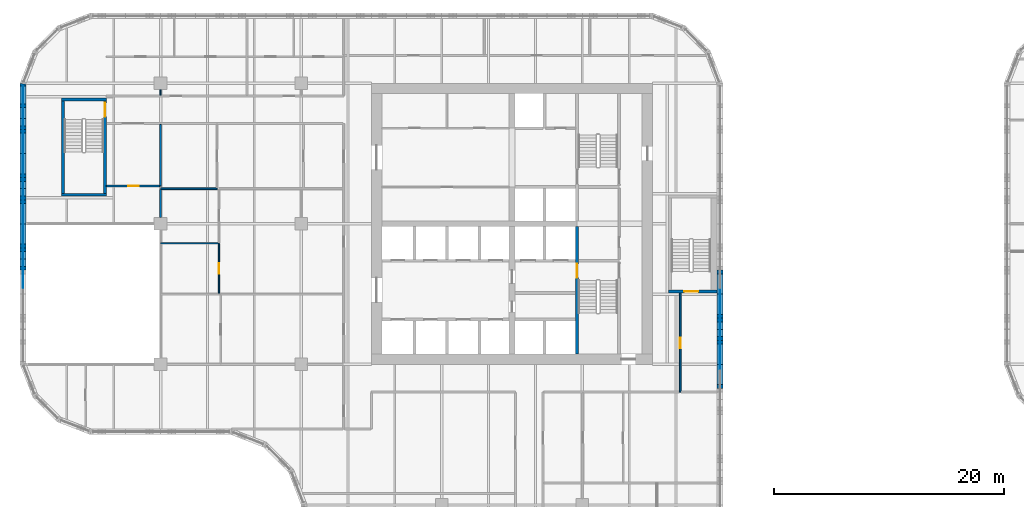
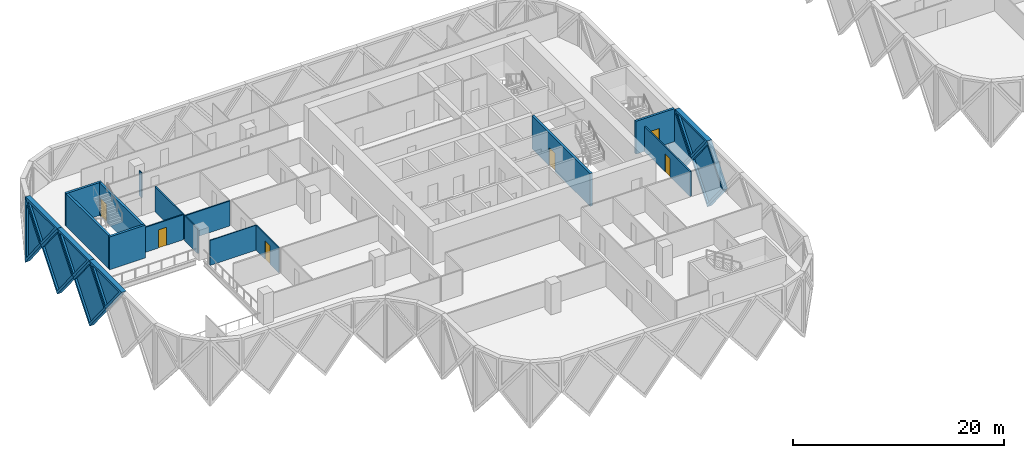
# One storey, part 9 of 24: 23 walls, 9 plates, 6 doors, 15 openings.
"""IFC4 building model written with IfcOpenShell, lengths in metres."""

from ifc_helpers import new_model, si_unit, direction, frame, frame_2d, origin, place, context, subcontext, project, spatial, polyline, rectangle, outline, extrude, faceted_brep, source, transform, mapped, material, layer, layer_set, type_object, element, fill, save


model = new_model("IFC4")

# Units and contexts
model_context = context("Model", 3, precision=1e-05, world=origin(), true_north=direction((0.0, 1.0)))
body_context = subcontext(model_context, "Body", "Model", "MODEL_VIEW")
ifc_project = project(units=[si_unit("LENGTHUNIT", "METRE"), si_unit("AREAUNIT", "SQUARE_METRE"), si_unit("VOLUMEUNIT", "CUBIC_METRE"), si_unit("PLANEANGLEUNIT", "RADIAN"), si_unit("MASSUNIT", "GRAM", prefix="KILO")], contexts=[model_context])

# Site, building, storey
site_placement = place(None, origin())
site = spatial("IfcSite", under=ifc_project, at=site_placement, CompositionType="ELEMENT")
building_placement = place(site_placement, origin())
building = spatial("IfcBuilding", under=site, at=building_placement, Name="Tessera Gate Towers", CompositionType="ELEMENT")
storey_placement = place(building_placement, frame((0.0, 0.0, 60.0)))
storey = spatial("IfcBuildingStorey", under=building, at=storey_placement, Name="L14", CompositionType="ELEMENT", Elevation=60.0)

# Wall, opening, door
ifc_material_1 = material(Name="Concrete C40/50", Category="concrete")
ifc_layer_1 = layer(ifc_material_1, 0.25)
ifc_layer_set_1 = layer_set([ifc_layer_1], Name="CORE ENCLOSURE WALL 250")
wall_type_1 = type_object("IfcWallType", Name="CORE ENCLOSURE WALL 250", PredefinedType="SOLIDWALL", material=ifc_layer_set_1)
wall_1_placement = place(storey_placement, frame((48.35009765625, 36.35009765625, 0.0), z_axis=(0.0, 0.0, 1.0), x_axis=(0.0, -1.0, 0.0)))
wall_1 = element("IfcWall", 1, at=wall_1_placement, inside=storey, type_object=wall_type_1, Name="L14 shaft and stair enclosure wall", PredefinedType="SOLIDWALL", context=body_context, shape_type="SweptSolid", body=[
    extrude(rectangle(XDim=11.050048828125, YDim=0.25, at=frame_2d((5.52490234375, 0.0))), origin(), (0.0, 0.0, 1.0), 3.800048828125),
])
shared_shape_1 = source(origin(), body_context, "Body", "SweptSolid", [
    extrude(rectangle(XDim=1.199951171875, YDim=2.10009765625, at=frame_2d((0.60009765625, 1.050048828125))), frame((0.0, 0.135009765625, 0.0), z_axis=(0.0, -1.0, 0.0), x_axis=(1.0, 0.0, 0.0)), (0.0, 0.0, 1.0), 0.27001953125),
])
opening_1_placement = place(wall_1_placement, frame((3.22509765625, 0.0, 0.0)))
opening_1 = element("IfcOpeningElement", 2, at=opening_1_placement, cuts=wall_1, Name="Opening SD-ST1-1", PredefinedType="OPENING", context=body_context, shape_type="MappedRepresentation", body=[
    mapped(shared_shape_1, transform((0.0, 0.0, 0.0), scale=1.0)),
])
ifc_material_2 = material(Name="Hollow steel fire door", Category="steel")
door_type_1 = type_object("IfcDoorType", Name="CORE DOOR SD 1200x2100", OperationType="NOTDEFINED", PredefinedType="DOOR", material=ifc_material_2)
shared_shape_2 = source(origin(), body_context, "Body", "SweptSolid", [
    extrude(rectangle(XDim=1.199951171875, YDim=2.10009765625, at=frame_2d((0.60009765625, 1.050048828125))), frame((0.0, 0.02490234375, 0.0), z_axis=(0.0, -1.0, 0.0), x_axis=(1.0, 0.0, 0.0)), (0.0, 0.0, 1.0), 0.050048828125),
])
door_1_placement = place(opening_1_placement, origin())
door_1 = element("IfcDoor", 3, at=door_1_placement, inside=storey, type_object=door_type_1, Name="Stair door", OperationType="SINGLE_SWING_LEFT", OverallHeight=2.10009765625, OverallWidth=1.199951171875, PredefinedType="DOOR", context=body_context, shape_type="MappedRepresentation", body=[
    mapped(shared_shape_2, transform((0.0, 0.0, 0.0), scale=1.0)),
])
fill(opening_1, door_1)

# Walls
wall_2_placement = place(storey_placement, frame((7.5, 39.125, 0.0), z_axis=(0.0, 0.0, 1.0), x_axis=(-1.0, 0.0, 0.0)))
element("IfcWall", 4, at=wall_2_placement, inside=storey, type_object=wall_type_1, Name="L14 ST3 enclosure wall", PredefinedType="SOLIDWALL", context=body_context, shape_type="SweptSolid", body=[
    extrude(rectangle(XDim=3.89990234375, YDim=0.25, at=frame_2d((1.949951171875, 0.0))), origin(), (0.0, 0.0, 1.0), 3.800048828125),
])
wall_3_placement = place(storey_placement, frame((3.72509765625, 39.25, 0.0), z_axis=(0.0, 0.0, 1.0), x_axis=(0.0, 1.0, 0.0)))
element("IfcWall", 5, at=wall_3_placement, inside=storey, type_object=wall_type_1, Name="L14 ST3 enclosure wall", PredefinedType="SOLIDWALL", context=body_context, shape_type="SweptSolid", body=[
    extrude(rectangle(XDim=8.0, YDim=0.25, at=frame_2d((4.0, 0.0))), origin(), (0.0, 0.0, 1.0), 3.800048828125),
])
wall_4_placement = place(storey_placement, frame((3.60009765625, 47.375, 0.0), z_axis=(0.0, 0.0, 1.0), x_axis=(1.0, 0.0, 0.0)))
element("IfcWall", 6, at=wall_4_placement, inside=storey, type_object=wall_type_1, Name="L14 ST3 enclosure wall", PredefinedType="SOLIDWALL", context=body_context, shape_type="SweptSolid", body=[
    extrude(rectangle(XDim=3.89990234375, YDim=0.25, at=frame_2d((1.949951171875, 0.0))), origin(), (0.0, 0.0, 1.0), 3.800048828125),
])

# Wall, opening, door
wall_5_placement = place(storey_placement, frame((7.375, 47.25, 0.0), z_axis=(0.0, 0.0, 1.0), x_axis=(0.0, -1.0, 0.0)))
wall_5 = element("IfcWall", 7, at=wall_5_placement, inside=storey, type_object=wall_type_1, Name="L14 ST3 enclosure wall", PredefinedType="SOLIDWALL", context=body_context, shape_type="SweptSolid", body=[
    extrude(rectangle(XDim=8.0, YDim=0.25, at=frame_2d((4.0, 0.0))), origin(), (0.0, 0.0, 1.0), 3.800048828125),
])
opening_2_placement = place(wall_5_placement, frame((0.14990234375, 0.0, 0.0)))
opening_2 = element("IfcOpeningElement", 8, at=opening_2_placement, cuts=wall_5, Name="Opening SD-ST3-1", PredefinedType="OPENING", context=body_context, shape_type="MappedRepresentation", body=[
    mapped(shared_shape_1, transform((0.0, 0.0, 0.0), scale=1.0)),
])
door_2_placement = place(opening_2_placement, origin())
door_2 = element("IfcDoor", 9, at=door_2_placement, inside=storey, type_object=door_type_1, Name="Stair door", OperationType="SINGLE_SWING_LEFT", OverallHeight=2.10009765625, OverallWidth=1.199951171875, PredefinedType="DOOR", context=body_context, shape_type="MappedRepresentation", body=[
    mapped(shared_shape_2, transform((0.0, 0.0, 0.0), scale=1.0)),
])
fill(opening_2, door_2)

wall_6_placement = place(storey_placement, frame((60.5, 30.72509765625, 0.0), z_axis=(0.0, 0.0, 1.0), x_axis=(-1.0, 0.0, 0.0)))
wall_6 = element("IfcWall", 10, at=wall_6_placement, inside=storey, type_object=wall_type_1, Name="L14 ST5 enclosure wall", PredefinedType="SOLIDWALL", context=body_context, shape_type="SweptSolid", body=[
    extrude(rectangle(XDim=4.199951171875, YDim=0.25, at=frame_2d((2.10009765625, 0.0))), origin(), (0.0, 0.0, 1.0), 3.800048828125),
])
opening_3_placement = place(wall_6_placement, frame((1.64990234375, 0.0, 0.0)))
opening_3 = element("IfcOpeningElement", 11, at=opening_3_placement, cuts=wall_6, Name="Opening SD-ST5-1", PredefinedType="OPENING", context=body_context, shape_type="MappedRepresentation", body=[
    mapped(shared_shape_1, transform((0.0, 0.0, 0.0), scale=1.0)),
])
door_3_placement = place(opening_3_placement, origin())
door_3 = element("IfcDoor", 12, at=door_3_placement, inside=storey, type_object=door_type_1, Name="Stair door", OperationType="SINGLE_SWING_RIGHT", OverallHeight=2.10009765625, OverallWidth=1.199951171875, PredefinedType="DOOR", context=body_context, shape_type="MappedRepresentation", body=[
    mapped(shared_shape_2, transform((0.0, 0.0, 0.0), scale=1.0)),
])
fill(opening_3, door_3)

ifc_material_3 = material(Name="Gypsum board on steel studs, mineral wool", Category="steel")
ifc_layer_2 = layer(ifc_material_3, 0.14990234375)
ifc_layer_set_2 = layer_set([ifc_layer_2], Name="CORRIDOR WALL 150")
wall_type_2 = type_object("IfcWallType", Name="CORRIDOR WALL 150", PredefinedType="PARTITIONING", material=ifc_layer_set_2)
wall_7_placement = place(storey_placement, frame((57.300048828125, 30.60009765625, 0.0), z_axis=(0.0, 0.0, 1.0), x_axis=(0.0, -1.0, 0.0)))
wall_7 = element("IfcWall", 13, at=wall_7_placement, inside=storey, type_object=wall_type_2, Name="T1-L14-PW-019", PredefinedType="PARTITIONING", context=body_context, shape_type="SweptSolid", body=[
    extrude(rectangle(XDim=8.60009765625, YDim=0.14990234375, at=frame_2d((4.300048828125, 0.0))), origin(), (0.0, 0.0, 1.0), 2.887939453125),
])
shared_shape_3 = source(origin(), body_context, "Body", "SweptSolid", [
    extrude(rectangle(XDim=0.89990234375, YDim=2.10009765625, at=frame_2d((0.449951171875, 1.050048828125))), frame((0.0, 0.0849609375, 0.0), z_axis=(0.0, -1.0, 0.0), x_axis=(1.0, 0.0, 0.0)), (0.0, 0.0, 1.0), 0.169921875),
])
opening_4_placement = place(wall_7_placement, frame((3.89990234375, 0.0, 0.0)))
opening_4 = element("IfcOpeningElement", 14, at=opening_4_placement, cuts=wall_7, Name="Opening D890FD60-A05-04", PredefinedType="OPENING", context=body_context, shape_type="MappedRepresentation", body=[
    mapped(shared_shape_3, transform((0.0, 0.0, 0.0), scale=1.0)),
])
ifc_material_4 = material(Name="Timber door leaf in steel frame", Category="steel")
door_type_2 = type_object("IfcDoorType", Name="CORRIDOR DOOR 900 FD60", OperationType="NOTDEFINED", PredefinedType="DOOR", material=ifc_material_4)
shared_shape_4 = source(origin(), body_context, "Body", "SweptSolid", [
    extrude(rectangle(XDim=0.89990234375, YDim=2.10009765625, at=frame_2d((0.449951171875, 1.050048828125))), frame((0.0, 0.02490234375, 0.0), z_axis=(0.0, -1.0, 0.0), x_axis=(1.0, 0.0, 0.0)), (0.0, 0.0, 1.0), 0.050048828125),
])
door_4_placement = place(opening_4_placement, origin())
door_4 = element("IfcDoor", 15, at=door_4_placement, inside=storey, type_object=door_type_2, Name="T1-L14-PD-021", OperationType="SINGLE_SWING_RIGHT", OverallHeight=2.10009765625, OverallWidth=0.89990234375, PredefinedType="DOOR", context=body_context, shape_type="MappedRepresentation", body=[
    mapped(shared_shape_4, transform((0.0, 0.0, 0.0), scale=1.0)),
])
fill(opening_4, door_4)

ifc_material_5 = material(Name="Gypsum board on steel studs", Category="steel")
ifc_layer_3 = layer(ifc_material_5, 0.10009765625)
ifc_layer_set_3 = layer_set([ifc_layer_3], Name="PARTITION 100")
wall_type_3 = type_object("IfcWallType", Name="PARTITION 100", PredefinedType="PARTITIONING", material=ifc_layer_set_3)
wall_8_placement = place(storey_placement, frame((17.27490234375, 30.575927734375, 0.0), z_axis=(0.0, 0.0, 1.0), x_axis=(0.0, 1.0, 0.0)))
wall_8 = element("IfcWall", 16, at=wall_8_placement, inside=storey, type_object=wall_type_3, Name="T1-L14-PW-026", PredefinedType="PARTITIONING", context=body_context, shape_type="SweptSolid", body=[
    extrude(rectangle(XDim=4.29345703125, YDim=0.10009765625, at=frame_2d((2.146728515625, 0.0))), origin(), (0.0, 0.0, 1.0), 2.887939453125),
])
shared_shape_5 = source(origin(), body_context, "Body", "SweptSolid", [
    extrude(rectangle(XDim=0.89990234375, YDim=2.10009765625, at=frame_2d((0.449951171875, 1.050048828125))), frame((0.0, 0.06005859375, 0.0), z_axis=(0.0, -1.0, 0.0), x_axis=(1.0, 0.0, 0.0)), (0.0, 0.0, 1.0), 0.1201171875),
])
opening_5_placement = place(wall_8_placement, frame((1.699951171875, 0.0, 0.0)))
opening_5 = element("IfcOpeningElement", 17, at=opening_5_placement, cuts=wall_8, Name="Opening D190-A05-03", PredefinedType="OPENING", context=body_context, shape_type="MappedRepresentation", body=[
    mapped(shared_shape_5, transform((0.0, 0.0, 0.0), scale=1.0)),
])
ifc_material_6 = material(Name="Timber door leaf in steel frame", Category="steel")
door_type_3 = type_object("IfcDoorType", Name="INTERNAL DOOR 900 NOT RATED", OperationType="NOTDEFINED", PredefinedType="DOOR", material=ifc_material_6)
door_5_placement = place(opening_5_placement, origin())
door_5 = element("IfcDoor", 18, at=door_5_placement, inside=storey, type_object=door_type_3, Name="T1-L14-PD-004", OperationType="SINGLE_SWING_LEFT", OverallHeight=2.10009765625, OverallWidth=0.89990234375, PredefinedType="DOOR", context=body_context, shape_type="MappedRepresentation", body=[
    mapped(shared_shape_4, transform((0.0, 0.0, 0.0), scale=1.0)),
])
fill(opening_5, door_5)

# Walls
wall_9_placement = place(storey_placement, frame((12.199951171875, 34.919921875, 0.0), z_axis=(0.0, 0.0, 1.0), x_axis=(1.0, 0.0, 0.0)))
element("IfcWall", 19, at=wall_9_placement, inside=storey, type_object=wall_type_3, Name="T1-L14-PW-027", PredefinedType="PARTITIONING", context=body_context, shape_type="SweptSolid", body=[
    extrude(rectangle(XDim=5.074951171875, YDim=0.10009765625, at=frame_2d((2.53759765625, 0.0))), origin(), (0.0, 0.0, 1.0), 2.887939453125),
])
wall_10_placement = place(storey_placement, frame((12.199951171875, 48.25, 0.0), z_axis=(0.0, 0.0, 1.0), x_axis=(0.0, -1.0, 0.0)))
element("IfcWall", 20, at=wall_10_placement, inside=storey, type_object=wall_type_3, Name="T1-L14-PW-041", PredefinedType="PARTITIONING", context=body_context, shape_type="SweptSolid", body=[
    extrude(rectangle(XDim=0.47509765625, YDim=0.10009765625, at=frame_2d((0.237548828125, 0.0))), origin(), (0.0, 0.0, 1.0), 2.887939453125),
])
ifc_material_7 = material(Name="Gypsum board on steel studs, mineral wool", Category="steel")
ifc_layer_4 = layer(ifc_material_7, 0.14990234375)
ifc_layer_set_4 = layer_set([ifc_layer_4], Name="TENANCY WALL 150")
wall_type_4 = type_object("IfcWallType", Name="TENANCY WALL 150", PredefinedType="PARTITIONING", material=ifc_layer_set_4)
wall_11_placement = place(storey_placement, frame((12.199951171875, 37.15087890625, 0.0), z_axis=(0.0, 0.0, 1.0), x_axis=(0.0, 1.0, 0.0)))
element("IfcWall", 21, at=wall_11_placement, inside=storey, type_object=wall_type_4, Name="T1-L14-PW-029", PredefinedType="PARTITIONING", context=body_context, shape_type="SweptSolid", body=[
    extrude(rectangle(XDim=2.423095703125, YDim=0.14990234375, at=frame_2d((1.21142578125, 0.0))), origin(), (0.0, 0.0, 1.0), 2.887939453125),
])
wall_12_placement = place(storey_placement, frame((12.199951171875, 39.64990234375, 0.0), z_axis=(0.0, 0.0, 1.0), x_axis=(1.0, 0.0, 0.0)))
element("IfcWall", 22, at=wall_12_placement, inside=storey, type_object=wall_type_4, Name="T1-L14-PW-031", PredefinedType="PARTITIONING", context=body_context, shape_type="SweptSolid", body=[
    extrude(rectangle(XDim=4.900146484375, YDim=0.14990234375, at=frame_2d((2.4501953125, 0.0))), origin(), (0.0, 0.0, 1.0), 2.887939453125),
])

# Wall, opening, door
wall_13_placement = place(storey_placement, frame((12.1240234375, 39.875, 0.0), z_axis=(0.0, 0.0, 1.0), x_axis=(-1.0, 0.0, 0.0)))
wall_13 = element("IfcWall", 23, at=wall_13_placement, inside=storey, type_object=wall_type_4, Name="T1-L14-PW-035", PredefinedType="PARTITIONING", context=body_context, shape_type="SweptSolid", body=[
    extrude(rectangle(XDim=4.6240234375, YDim=0.14990234375, at=frame_2d((2.31201171875, 0.0))), origin(), (0.0, 0.0, 1.0), 2.887939453125),
])
opening_6_placement = place(wall_13_placement, frame((1.823974609375, 0.0, 0.0)))
opening_6 = element("IfcOpeningElement", 24, at=opening_6_placement, cuts=wall_13, Name="Opening D190-A05-05", PredefinedType="OPENING", context=body_context, shape_type="MappedRepresentation", body=[
    mapped(shared_shape_3, transform((0.0, 0.0, 0.0), scale=1.0)),
])
door_6_placement = place(opening_6_placement, origin())
door_6 = element("IfcDoor", 25, at=door_6_placement, inside=storey, type_object=door_type_3, Name="T1-L14-PD-006", OperationType="SINGLE_SWING_RIGHT", OverallHeight=2.10009765625, OverallWidth=0.89990234375, PredefinedType="DOOR", context=body_context, shape_type="MappedRepresentation", body=[
    mapped(shared_shape_4, transform((0.0, 0.0, 0.0), scale=1.0)),
])
fill(opening_6, door_6)

# Wall
wall_14_placement = place(storey_placement, frame((12.199951171875, 39.875, 0.0), z_axis=(0.0, 0.0, 1.0), x_axis=(0.0, 1.0, 0.0)))
element("IfcWall", 26, at=wall_14_placement, inside=storey, type_object=wall_type_4, Name="T1-L14-PW-036", PredefinedType="PARTITIONING", context=body_context, shape_type="SweptSolid", body=[
    extrude(rectangle(XDim=5.34912109375, YDim=0.14990234375, at=frame_2d((2.674560546875, 0.0))), origin(), (0.0, 0.0, 1.0), 2.887939453125),
])

# Wall, opening, plate
ifc_material_8 = material(Name="Precast concrete C60/75 white", Category="concrete")
ifc_layer_5 = layer(ifc_material_8, 0.5)
ifc_layer_set_5 = layer_set([ifc_layer_5], Name="TS1 tessera")
wall_type_5 = type_object("IfcWallType", Name="TS1 tessera", PredefinedType="SOLIDWALL", material=ifc_layer_set_5)
shared_shape_6 = source(origin(), body_context, "Body", "Brep", [
    faceted_brep([(3.050048828125, -0.25, 0.0), (6.099853515625, -0.25, 3.7998046875), (6.099853515625, -0.25, 3.80029296875), (3.050048828125, -0.25, 7.60009765625), (0.0, -0.25, 3.800048828125), (0.0, 0.25, 3.800048828125), (3.050048828125, 0.25, 7.60009765625), (6.099853515625, 0.25, 3.80029296875), (6.099853515625, 0.25, 3.7998046875), (3.050048828125, 0.25, 0.0)], [[[0, 1, 2, 3, 4]], [[5, 6, 7, 8, 9]], [[9, 8, 1, 0]], [[7, 6, 3, 2]], [[6, 5, 4, 3]], [[5, 9, 0, 4]], [[1, 8, 7, 2]]]),
])
wall_15_placement = place(storey_placement, frame((60.75, 21.35009765625, -3.800048828125), z_axis=(0.0, 0.0, 1.0), x_axis=(0.0, 1.0, 0.0)))
wall_15 = element("IfcWall", 27, at=wall_15_placement, inside=storey, type_object=wall_type_5, Name="Precast tessera T1 TS1-0213", PredefinedType="SOLIDWALL", context=body_context, shape_type="MappedRepresentation", body=[
    mapped(shared_shape_6, transform((0.0, 0.0, 0.0), scale=1.0)),
])
shared_shape_7 = source(origin(), body_context, "Body", "SweptSolid", [
    extrude(outline(polyline([(3.050048828125, 0.3994140625), (5.779541015625, 3.800048828125), (3.050048828125, 7.20068359375), (0.320556640625, 3.800048828125), (3.050048828125, 0.3994140625)])), frame((0.0, 0.260009765625, 0.0), z_axis=(0.0, -1.0, 0.0), x_axis=(1.0, 0.0, 0.0)), (0.0, 0.0, 1.0), 0.52001953125),
])
opening_7_placement = place(wall_15_placement, origin())
opening_7 = element("IfcOpeningElement", 28, at=opening_7_placement, cuts=wall_15, Name="Opening T1-PL2-0433", PredefinedType="OPENING", context=body_context, shape_type="MappedRepresentation", body=[
    mapped(shared_shape_7, transform((0.0, 0.0, 0.0), scale=1.0)),
])
ifc_material_9 = material(Name="Low-e laminated glass", Category="glass")
ifc_layer_6 = layer(ifc_material_9, 0.06005859375)
ifc_layer_set_6 = layer_set([ifc_layer_6], Name="PL2 rhombic pane")
plate_type_1 = type_object("IfcPlateType", Name="PL2 rhombic pane", PredefinedType="SHEET", material=ifc_layer_set_6)
shared_shape_8 = source(origin(), body_context, "Body", "SweptSolid", [
    extrude(outline(polyline([(3.050048828125, 0.3994140625), (5.779541015625, 3.800048828125), (3.050048828125, 7.20068359375), (0.320556640625, 3.800048828125), (3.050048828125, 0.3994140625)])), frame((0.0, 0.030029296875, 0.0), z_axis=(0.0, -1.0, 0.0), x_axis=(1.0, 0.0, 0.0)), (0.0, 0.0, 1.0), 0.06005859375),
])
plate_1_placement = place(opening_7_placement, origin())
plate_1 = element("IfcPlate", 29, at=plate_1_placement, inside=storey, type_object=plate_type_1, Name="Glass pane T1 PL2-0433", PredefinedType="SHEET", context=body_context, shape_type="MappedRepresentation", body=[
    mapped(shared_shape_8, transform((0.0, 0.0, 0.0), scale=1.0)),
])
fill(opening_7, plate_1)

wall_16_placement = place(storey_placement, frame((0.25, 39.64990234375, -3.800048828125), z_axis=(0.0, 0.0, 1.0), x_axis=(0.0, -1.0, 0.0)))
wall_16 = element("IfcWall", 30, at=wall_16_placement, inside=storey, type_object=wall_type_5, Name="Precast tessera T1 TS1-0226", PredefinedType="SOLIDWALL", context=body_context, shape_type="MappedRepresentation", body=[
    mapped(shared_shape_6, transform((0.0, 0.0, 0.0), scale=1.0)),
])
opening_8_placement = place(wall_16_placement, origin())
opening_8 = element("IfcOpeningElement", 31, at=opening_8_placement, cuts=wall_16, Name="Opening T1-PL2-0454", PredefinedType="OPENING", context=body_context, shape_type="MappedRepresentation", body=[
    mapped(shared_shape_7, transform((0.0, 0.0, 0.0), scale=1.0)),
])
plate_2_placement = place(opening_8_placement, origin())
plate_2 = element("IfcPlate", 32, at=plate_2_placement, inside=storey, type_object=plate_type_1, Name="Glass pane T1 PL2-0454", PredefinedType="SHEET", context=body_context, shape_type="MappedRepresentation", body=[
    mapped(shared_shape_8, transform((0.0, 0.0, 0.0), scale=1.0)),
])
fill(opening_8, plate_2)

shared_shape_9 = source(origin(), body_context, "Body", "SweptSolid", [
    extrude(outline(polyline([(3.050048828125, 0.0), (6.10009765625, 3.800048828125), (3.050048828125, 7.60009765625), (0.0, 3.800048828125), (3.050048828125, 0.0)])), frame((0.0, 0.25, 0.0), z_axis=(0.0, -1.0, 0.0), x_axis=(1.0, 0.0, 0.0)), (0.0, 0.0, 1.0), 0.5),
])
wall_17_placement = place(storey_placement, frame((60.75, 27.449951171875, -3.800048828125), z_axis=(0.0, 0.0, 1.0), x_axis=(0.0, 1.0, 0.0)))
wall_17 = element("IfcWall", 33, at=wall_17_placement, inside=storey, type_object=wall_type_5, Name="Precast tessera T1 TS1-0214", PredefinedType="SOLIDWALL", context=body_context, shape_type="MappedRepresentation", body=[
    mapped(shared_shape_9, transform((0.0, 0.0, 0.0), scale=1.0)),
])
opening_9_placement = place(wall_17_placement, origin())
opening_9 = element("IfcOpeningElement", 34, at=opening_9_placement, cuts=wall_17, Name="Opening T1-PL2-0434", PredefinedType="OPENING", context=body_context, shape_type="MappedRepresentation", body=[
    mapped(shared_shape_7, transform((0.0, 0.0, 0.0), scale=1.0)),
])
plate_3_placement = place(opening_9_placement, origin())
plate_3 = element("IfcPlate", 35, at=plate_3_placement, inside=storey, type_object=plate_type_1, Name="Glass pane T1 PL2-0434", PredefinedType="SHEET", context=body_context, shape_type="MappedRepresentation", body=[
    mapped(shared_shape_8, transform((0.0, 0.0, 0.0), scale=1.0)),
])
fill(opening_9, plate_3)

wall_18_placement = place(storey_placement, frame((0.25, 45.75, -3.800048828125), z_axis=(0.0, 0.0, 1.0), x_axis=(0.0, -1.0, 0.0)))
wall_18 = element("IfcWall", 36, at=wall_18_placement, inside=storey, type_object=wall_type_5, Name="Precast tessera T1 TS1-0225", PredefinedType="SOLIDWALL", context=body_context, shape_type="MappedRepresentation", body=[
    mapped(shared_shape_9, transform((0.0, 0.0, 0.0), scale=1.0)),
])
opening_10_placement = place(wall_18_placement, origin())
opening_10 = element("IfcOpeningElement", 37, at=opening_10_placement, cuts=wall_18, Name="Opening T1-PL2-0453", PredefinedType="OPENING", context=body_context, shape_type="MappedRepresentation", body=[
    mapped(shared_shape_7, transform((0.0, 0.0, 0.0), scale=1.0)),
])
plate_4_placement = place(opening_10_placement, origin())
plate_4 = element("IfcPlate", 38, at=plate_4_placement, inside=storey, type_object=plate_type_1, Name="Glass pane T1 PL2-0453", PredefinedType="SHEET", context=body_context, shape_type="MappedRepresentation", body=[
    mapped(shared_shape_8, transform((0.0, 0.0, 0.0), scale=1.0)),
])
fill(opening_10, plate_4)

ifc_material_10 = material(Name="Precast concrete C60/75 white", Category="concrete")
ifc_layer_7 = layer(ifc_material_10, 0.5)
ifc_layer_set_7 = layer_set([ifc_layer_7], Name="TS3 corner tessera")
wall_type_6 = type_object("IfcWallType", Name="TS3 corner tessera", PredefinedType="SOLIDWALL", material=ifc_layer_set_7)
shared_shape_10 = source(origin(), body_context, "Body", "Brep", [
    faceted_brep([(0.046630859375, -0.25, 0.0), (3.050048828125, -0.25, 3.800048828125), (0.046630859375, -0.25, 7.60009765625), (0.0, -0.25, 7.5400390625), (0.0, -0.25, 0.06005859375), (0.09326171875, 0.25, 7.541259765625), (3.050048828125, 0.25, 3.800048828125), (0.09326171875, 0.25, 0.058837890625), (0.046630859375, 0.0, 0.0), (0.046630859375, 0.0, 7.60009765625)], [[[0, 1, 2, 3, 4]], [[5, 6, 7]], [[7, 6, 1, 0, 8]], [[6, 5, 9, 2, 1]], [[3, 2, 9]], [[8, 0, 4]], [[7, 8, 4, 3, 9, 5]]]),
])
wall_19_placement = place(storey_placement, frame((0.25, 48.800048828125, -3.800048828125), z_axis=(0.0, 0.0, 1.0), x_axis=(0.0, -1.0, 0.0)))
wall_19 = element("IfcWall", 39, at=wall_19_placement, inside=storey, type_object=wall_type_6, Name="Precast corner tessera T1 TS3-0300", PredefinedType="SOLIDWALL", context=body_context, shape_type="MappedRepresentation", body=[
    mapped(shared_shape_10, transform((0.0, 0.0, 0.0), scale=1.0)),
])
shared_shape_11 = source(origin(), body_context, "Body", "SweptSolid", [
    extrude(outline(polyline([(0.24658203125, 0.65625), (2.7314453125, 3.800048828125), (0.24658203125, 6.94384765625), (0.24658203125, 0.65625)])), frame((0.0, 0.260009765625, 0.0), z_axis=(0.0, -1.0, 0.0), x_axis=(1.0, 0.0, 0.0)), (0.0, 0.0, 1.0), 0.52001953125),
])
opening_11_placement = place(wall_19_placement, origin())
opening_11 = element("IfcOpeningElement", 40, at=opening_11_placement, cuts=wall_19, Name="Opening T1-PL2-0452", PredefinedType="OPENING", context=body_context, shape_type="MappedRepresentation", body=[
    mapped(shared_shape_11, transform((0.0, 0.0, 0.0), scale=1.0)),
])
shared_shape_12 = source(origin(), body_context, "Body", "SweptSolid", [
    extrude(outline(polyline([(0.24658203125, 0.65625), (2.7314453125, 3.800048828125), (0.24658203125, 6.94384765625), (0.24658203125, 0.65625)])), frame((0.0, 0.030029296875, 0.0), z_axis=(0.0, -1.0, 0.0), x_axis=(1.0, 0.0, 0.0)), (0.0, 0.0, 1.0), 0.06005859375),
])
plate_5_placement = place(opening_11_placement, origin())
plate_5 = element("IfcPlate", 41, at=plate_5_placement, inside=storey, type_object=plate_type_1, Name="Glass pane T1 PL2-0452", PredefinedType="SHEET", context=body_context, shape_type="MappedRepresentation", body=[
    mapped(shared_shape_12, transform((0.0, 0.0, 0.0), scale=1.0)),
])
fill(opening_11, plate_5)

ifc_material_11 = material(Name="Precast concrete C60/75 white", Category="concrete")
ifc_layer_8 = layer(ifc_material_11, 0.5)
ifc_layer_set_8 = layer_set([ifc_layer_8], Name="TS2 half tessera")
wall_type_7 = type_object("IfcWallType", Name="TS2 half tessera", PredefinedType="SOLIDWALL", material=ifc_layer_set_8)
shared_shape_13 = source(origin(), body_context, "Body", "Brep", [
    faceted_brep([(3.050048828125, -0.25, 0.0), (6.099853515625, -0.25, 3.7998046875), (6.099853515625, -0.25, 3.800048828125), (0.0, -0.25, 3.800048828125), (0.0, 0.25, 3.800048828125), (6.099853515625, 0.25, 3.800048828125), (6.099853515625, 0.25, 3.7998046875), (3.050048828125, 0.25, 0.0)], [[[0, 1, 2, 3]], [[4, 5, 6, 7]], [[7, 6, 1, 0]], [[5, 4, 3, 2]], [[4, 7, 0, 3]], [[1, 6, 5, 2]]]),
])
wall_20_placement = place(storey_placement, frame((0.25, 42.699951171875, 0.0), z_axis=(0.0, 0.0, 1.0), x_axis=(0.0, -1.0, 0.0)))
wall_20 = element("IfcWall", 42, at=wall_20_placement, inside=storey, type_object=wall_type_7, Name="Precast half tessera T1 TS2-0087", PredefinedType="SOLIDWALL", context=body_context, shape_type="MappedRepresentation", body=[
    mapped(shared_shape_13, transform((0.0, 0.0, 0.0), scale=1.0)),
])
shared_shape_14 = source(origin(), body_context, "Body", "SweptSolid", [
    extrude(outline(polyline([(3.050048828125, 0.3994140625), (5.578857421875, 3.550048828125), (0.521240234375, 3.550048828125), (3.050048828125, 0.3994140625)])), frame((0.0, 0.260009765625, 0.0), z_axis=(0.0, -1.0, 0.0), x_axis=(1.0, 0.0, 0.0)), (0.0, 0.0, 1.0), 0.52001953125),
])
opening_12_placement = place(wall_20_placement, origin())
opening_12 = element("IfcOpeningElement", 43, at=opening_12_placement, cuts=wall_20, Name="Opening T1-PL1-0173", PredefinedType="OPENING", context=body_context, shape_type="MappedRepresentation", body=[
    mapped(shared_shape_14, transform((0.0, 0.0, 0.0), scale=1.0)),
])
ifc_material_12 = material(Name="Low-e laminated glass", Category="glass")
ifc_layer_9 = layer(ifc_material_12, 0.06005859375)
ifc_layer_set_9 = layer_set([ifc_layer_9], Name="PL1 triangular pane")
plate_type_2 = type_object("IfcPlateType", Name="PL1 triangular pane", PredefinedType="SHEET", material=ifc_layer_set_9)
shared_shape_15 = source(origin(), body_context, "Body", "SweptSolid", [
    extrude(outline(polyline([(3.050048828125, 0.3994140625), (5.578857421875, 3.550048828125), (0.521240234375, 3.550048828125), (3.050048828125, 0.3994140625)])), frame((0.0, 0.030029296875, 0.0), z_axis=(0.0, -1.0, 0.0), x_axis=(1.0, 0.0, 0.0)), (0.0, 0.0, 1.0), 0.06005859375),
])
plate_6_placement = place(opening_12_placement, origin())
plate_6 = element("IfcPlate", 44, at=plate_6_placement, inside=storey, type_object=plate_type_2, Name="Glass pane T1 PL1-0173", PredefinedType="SHEET", context=body_context, shape_type="MappedRepresentation", body=[
    mapped(shared_shape_15, transform((0.0, 0.0, 0.0), scale=1.0)),
])
fill(opening_12, plate_6)

shared_shape_16 = source(origin(), body_context, "Body", "SweptSolid", [
    extrude(outline(polyline([(3.050048828125, 0.0), (6.10009765625, 3.800048828125), (0.0, 3.800048828125), (3.050048828125, 0.0)])), frame((0.0, 0.25, 0.0), z_axis=(0.0, -1.0, 0.0), x_axis=(1.0, 0.0, 0.0)), (0.0, 0.0, 1.0), 0.5),
])
wall_21_placement = place(storey_placement, frame((60.75, 24.39990234375, 0.0), z_axis=(0.0, 0.0, 1.0), x_axis=(0.0, 1.0, 0.0)))
wall_21 = element("IfcWall", 45, at=wall_21_placement, inside=storey, type_object=wall_type_7, Name="Precast half tessera T1 TS2-0075", PredefinedType="SOLIDWALL", context=body_context, shape_type="MappedRepresentation", body=[
    mapped(shared_shape_16, transform((0.0, 0.0, 0.0), scale=1.0)),
])
opening_13_placement = place(wall_21_placement, origin())
opening_13 = element("IfcOpeningElement", 46, at=opening_13_placement, cuts=wall_21, Name="Opening T1-PL1-0153", PredefinedType="OPENING", context=body_context, shape_type="MappedRepresentation", body=[
    mapped(shared_shape_14, transform((0.0, 0.0, 0.0), scale=1.0)),
])
plate_7_placement = place(opening_13_placement, origin())
plate_7 = element("IfcPlate", 47, at=plate_7_placement, inside=storey, type_object=plate_type_2, Name="Glass pane T1 PL1-0153", PredefinedType="SHEET", context=body_context, shape_type="MappedRepresentation", body=[
    mapped(shared_shape_15, transform((0.0, 0.0, 0.0), scale=1.0)),
])
fill(opening_13, plate_7)

wall_22_placement = place(storey_placement, frame((0.25, 36.60009765625, 0.0), z_axis=(0.0, 0.0, 1.0), x_axis=(0.0, -1.0, 0.0)))
wall_22 = element("IfcWall", 48, at=wall_22_placement, inside=storey, type_object=wall_type_7, Name="Precast half tessera T1 TS2-0088", PredefinedType="SOLIDWALL", context=body_context, shape_type="MappedRepresentation", body=[
    mapped(shared_shape_16, transform((0.0, 0.0, 0.0), scale=1.0)),
])
opening_14_placement = place(wall_22_placement, origin())
opening_14 = element("IfcOpeningElement", 49, at=opening_14_placement, cuts=wall_22, Name="Opening T1-PL1-0174", PredefinedType="OPENING", context=body_context, shape_type="MappedRepresentation", body=[
    mapped(shared_shape_14, transform((0.0, 0.0, 0.0), scale=1.0)),
])
plate_8_placement = place(opening_14_placement, origin())
plate_8 = element("IfcPlate", 50, at=plate_8_placement, inside=storey, type_object=plate_type_2, Name="Glass pane T1 PL1-0174", PredefinedType="SHEET", context=body_context, shape_type="MappedRepresentation", body=[
    mapped(shared_shape_15, transform((0.0, 0.0, 0.0), scale=1.0)),
])
fill(opening_14, plate_8)

shared_shape_17 = source(origin(), body_context, "Body", "Brep", [
    faceted_brep([(3.00341796875, -0.25, 0.0), (6.053466796875, -0.25, 3.800048828125), (0.0, -0.25, 3.800048828125), (0.046630859375, 0.25, 3.800048828125), (6.053466796875, 0.25, 3.800048828125), (3.00341796875, 0.25, 0.0), (0.046630859375, 0.25, 3.7412109375), (0.0, 0.0, 3.800048828125)], [[[0, 1, 2]], [[3, 4, 5, 6]], [[5, 4, 1, 0]], [[4, 3, 7, 2, 1]], [[6, 5, 0, 2, 7]], [[6, 7, 3]]]),
])
wall_23_placement = place(storey_placement, frame((0.25, 48.75341796875, 0.0), z_axis=(0.0, 0.0, 1.0), x_axis=(0.0, -1.0, 0.0)))
wall_23 = element("IfcWall", 51, at=wall_23_placement, inside=storey, type_object=wall_type_7, Name="Precast half tessera T1 TS2-0086", PredefinedType="SOLIDWALL", context=body_context, shape_type="MappedRepresentation", body=[
    mapped(shared_shape_17, transform((0.0, 0.0, 0.0), scale=1.0)),
])
shared_shape_18 = source(origin(), body_context, "Body", "SweptSolid", [
    extrude(outline(polyline([(3.0048828125, 0.4013671875), (5.5322265625, 3.550048828125), (0.516357421875, 3.550048828125), (3.0048828125, 0.4013671875)])), frame((0.0, 0.260009765625, 0.0), z_axis=(0.0, -1.0, 0.0), x_axis=(1.0, 0.0, 0.0)), (0.0, 0.0, 1.0), 0.52001953125),
])
opening_15_placement = place(wall_23_placement, origin())
opening_15 = element("IfcOpeningElement", 52, at=opening_15_placement, cuts=wall_23, Name="Opening T1-PL1-0172", PredefinedType="OPENING", context=body_context, shape_type="MappedRepresentation", body=[
    mapped(shared_shape_18, transform((0.0, 0.0, 0.0), scale=1.0)),
])
shared_shape_19 = source(origin(), body_context, "Body", "SweptSolid", [
    extrude(outline(polyline([(3.0048828125, 0.4013671875), (5.5322265625, 3.550048828125), (0.516357421875, 3.550048828125), (3.0048828125, 0.4013671875)])), frame((0.0, 0.030029296875, 0.0), z_axis=(0.0, -1.0, 0.0), x_axis=(1.0, 0.0, 0.0)), (0.0, 0.0, 1.0), 0.06005859375),
])
plate_9_placement = place(opening_15_placement, origin())
plate_9 = element("IfcPlate", 53, at=plate_9_placement, inside=storey, type_object=plate_type_2, Name="Glass pane T1 PL1-0172", PredefinedType="SHEET", context=body_context, shape_type="MappedRepresentation", body=[
    mapped(shared_shape_19, transform((0.0, 0.0, 0.0), scale=1.0)),
])
fill(opening_15, plate_9)

save(model, "model.ifc")
